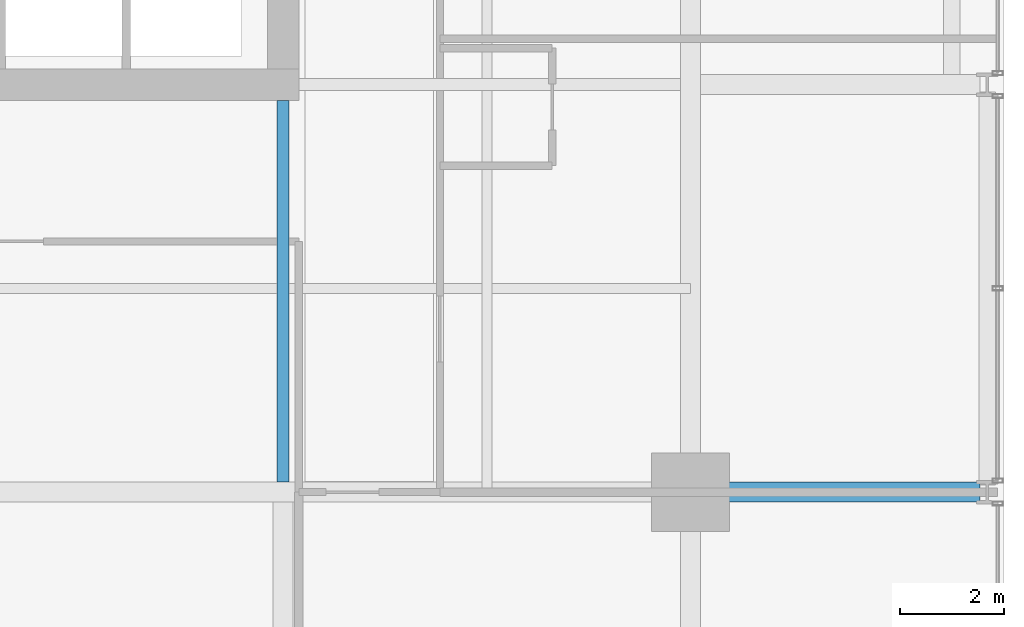
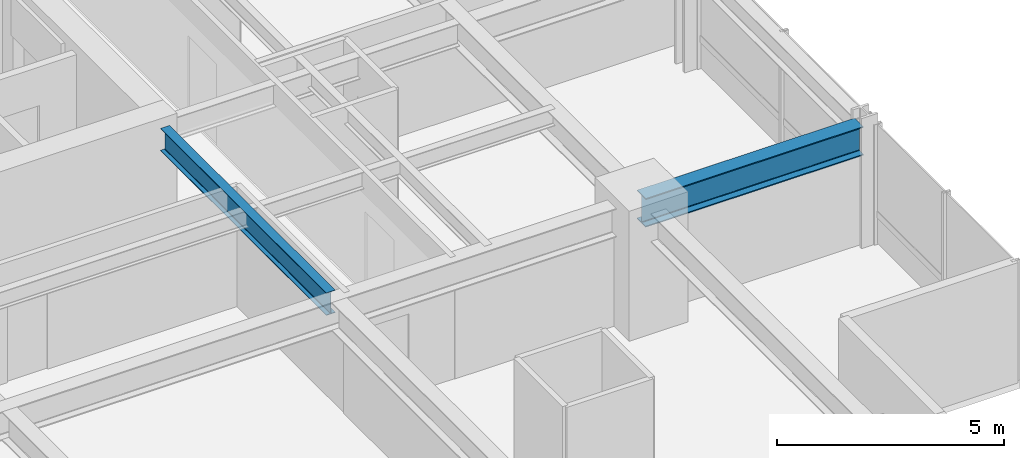
# One storey, part 12 of 34: 2 beams.
"""IFC4 building model written with IfcOpenShell, lengths in metres."""

from ifc_helpers import new_model, si_unit, direction, frame, origin, origin_2d, place, context, subcontext, project, spatial, i_section, extrude, material, material_profile, profile_set, type_object, element, save


model = new_model("IFC4")

# Units and contexts
model_context = context("Model", 3, precision=1e-05, world=origin(), true_north=direction((0.0, 1.0)))
body_context = subcontext(model_context, "Body", "Model", "MODEL_VIEW")
ifc_project = project(units=[si_unit("LENGTHUNIT", "METRE"), si_unit("AREAUNIT", "SQUARE_METRE"), si_unit("VOLUMEUNIT", "CUBIC_METRE"), si_unit("PLANEANGLEUNIT", "RADIAN"), si_unit("MASSUNIT", "GRAM", prefix="KILO")], contexts=[model_context])

# Site, building, storey
site_placement = place(None, origin())
site = spatial("IfcSite", under=ifc_project, at=site_placement, CompositionType="ELEMENT")
building_placement = place(site_placement, origin())
building = spatial("IfcBuilding", under=site, at=building_placement, Name="Drelvath Grand Hotel", CompositionType="ELEMENT")
storey_placement = place(building_placement, frame((0.0, 0.0, 109.300048828125)))
storey = spatial("IfcBuildingStorey", under=building, at=storey_placement, Name="L27", CompositionType="ELEMENT", Elevation=109.300048828125)

# Beams
ifc_material = material(Name="Steel ASTM A992 Gr 50", Category="steel")
ifc_material_profile_1 = material_profile(ifc_material, i_section(OverallWidth=0.228271484375, OverallDepth=0.607666015625, WebThickness=0.01123046875, FlangeThickness=0.017333984375, FilletRadius=0.02001953125, at=origin_2d()), Name="W24X76")
ifc_profile_set_1 = profile_set([ifc_material_profile_1], Name="Steel ASTM A992 Gr 50")
beam_type_1 = type_object("IfcBeamType", Name="Primary Floor Girder W24X76", PredefinedType="BEAM", material=ifc_profile_set_1)
beam_1_placement = place(storey_placement, frame((8.39990234375, 10.990234375, 2.93603515625), z_axis=(0.0, 1.0, 0.0), x_axis=(-1.0, 0.0, 0.0)))
element("IfcBeam", 1, at=beam_1_placement, inside=storey, type_object=beam_type_1, Name="L27 South Core Tie 6", PredefinedType="BEAM", context=body_context, shape_type="SweptSolid", body=[
    extrude(i_section(OverallWidth=0.228271484375, OverallDepth=0.607666015625, WebThickness=0.01123046875, FlangeThickness=0.017333984375, FilletRadius=0.02001953125, at=origin_2d()), origin(), (0.0, 0.0, 1.0), 7.309814453125),
])
ifc_material_profile_2 = material_profile(ifc_material, i_section(OverallWidth=0.380615234375, OverallDepth=0.773193359375, WebThickness=0.0166015625, FlangeThickness=0.027099609375, FilletRadius=0.02490234375, at=origin_2d()), Name="W30X173")
ifc_profile_set_2 = profile_set([ifc_material_profile_2], Name="Steel ASTM A992 Gr 50")
beam_type_2 = type_object("IfcBeamType", Name="Primary Floor Girder W30X173", PredefinedType="BEAM", material=ifc_profile_set_2)
beam_2_placement = place(storey_placement, frame((16.199951171875, 10.800048828125, 2.853271484375), z_axis=(1.0, 0.0, 0.0), x_axis=(0.0, 1.0, 0.0)))
element("IfcBeam", 2, at=beam_2_placement, inside=storey, type_object=beam_type_2, Name="L27 East Grid Girder C", PredefinedType="BEAM", context=body_context, shape_type="SweptSolid", body=[
    extrude(i_section(OverallWidth=0.380615234375, OverallDepth=0.773193359375, WebThickness=0.0166015625, FlangeThickness=0.027099609375, FilletRadius=0.02490234375, at=origin_2d()), origin(), (0.0, 0.0, 1.0), 5.5400390625),
])

save(model, "model.ifc")
